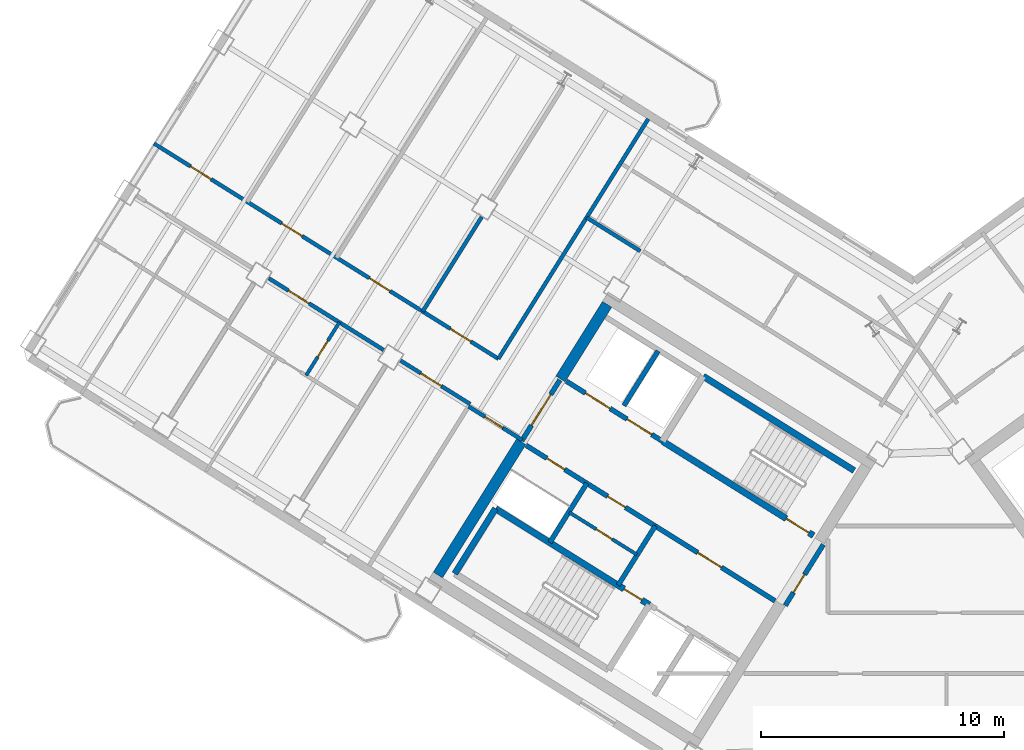
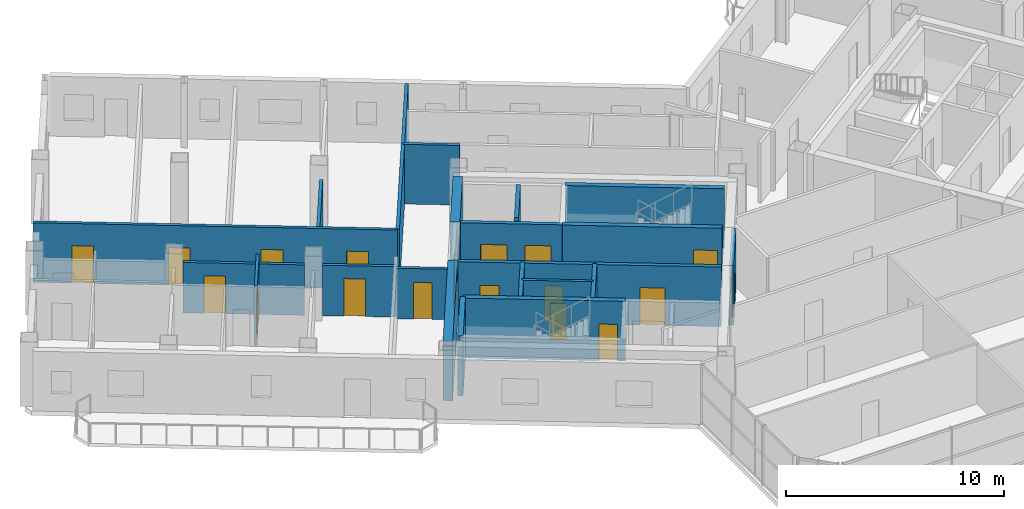
# One storey, part 12 of 20: 23 walls, 18 doors, 18 openings.
"""IFC4 building model written with IfcOpenShell, lengths in metres."""

import ifcopenshell
import ifcopenshell.guid

model = None  # the IFC model being written
_history = None  # IfcOwnerHistory: only IFC2X3 demands one
_inside = {}  # id of a spatial element -> (the spatial element, [elements in it])
_under = {}  # id of a project, library or spatial element -> (it, [spatial elements below it])
_declared = {}  # id of a project -> (the project, [libraries it declares])
_typed = {}  # id of a type object -> (the type object, [elements of that type])
_made_of = {}  # id of a material, layer set ... -> (it, [elements and type objects made of it])


def new_model(schema):
    """Start an empty IFC model of exactly this schema.

    Asked for "IFC4X3", IfcOpenShell would pick the latest addendum, in which some entities
    have other attributes; the version numbers below select the first issue.
    IFC2X3 requires an IfcOwnerHistory on every rooted entity: one is made here for all.
    """
    global model, _history
    if schema == "IFC4X3":
        model = ifcopenshell.file(schema_version=(4, 3, 0, 0))
    else:
        model = ifcopenshell.file(schema=schema)
    _inside.clear()
    _under.clear()
    _declared.clear()
    _typed.clear()
    _made_of.clear()
    _history = None
    if model.schema == "IFC2X3":
        org = make("IfcOrganization", Name="unknown")
        user = make(
            "IfcPersonAndOrganization",
            ThePerson=make("IfcPerson", FamilyName="unknown"),
            TheOrganization=org,
        )
        app = make(
            "IfcApplication",
            ApplicationDeveloper=org,
            Version="unknown",
            ApplicationFullName="unknown",
            ApplicationIdentifier="unknown",
        )
        _history = make(
            "IfcOwnerHistory",
            OwningUser=user,
            OwningApplication=app,
            ChangeAction="ADDED",
            CreationDate=0,
        )
    return model


def make(cls, **values):
    """One entity of the class cls with the attributes given. An attribute that is None is left unset."""
    return model.create_entity(
        cls, **{name: value for name, value in values.items() if value is not None}
    )


def rooted(cls, **values):
    """An entity with a GlobalId (a new one), such as an element, a storey or a relation."""
    return make(cls, GlobalId=ifcopenshell.guid.new(), OwnerHistory=_history, **values)


def si_unit(unit_type, name, prefix=None):
    """IfcSIUnit, for example si_unit("LENGTHUNIT", "METRE", prefix="MILLI")."""
    return make("IfcSIUnit", UnitType=unit_type, Prefix=prefix, Name=name)


def assignment(units):
    """IfcUnitAssignment: the units of a project."""
    return None if units is None else make("IfcUnitAssignment", Units=units)


def point(xyz):
    """IfcCartesianPoint."""
    return None if xyz is None else make("IfcCartesianPoint", Coordinates=xyz)


def direction(xyz):
    """IfcDirection."""
    return None if xyz is None else make("IfcDirection", DirectionRatios=xyz)


def frame(location, z_axis=None, x_axis=None):
    """IfcAxis2Placement3D, a coordinate frame: its origin and axes. An axis left out is left unset."""
    return make(
        "IfcAxis2Placement3D",
        Location=point(location),
        Axis=direction(z_axis),
        RefDirection=direction(x_axis),
    )


def frame_2d(location, x_axis=None):
    """IfcAxis2Placement2D, a coordinate frame in the plane: its origin and x axis."""
    return make(
        "IfcAxis2Placement2D", Location=point(location), RefDirection=direction(x_axis)
    )


def origin():
    """The frame at (0, 0, 0) with its axes left unset."""
    return frame((0.0, 0.0, 0.0))


def place(relative_to, where):
    """IfcLocalPlacement: puts the frame where relative to a parent placement (None: the world)."""
    return make(
        "IfcLocalPlacement", PlacementRelTo=relative_to, RelativePlacement=where
    )


def context(
    kind, dimensions, precision=None, world=None, true_north=None, identifier=None
):
    """IfcGeometricRepresentationContext, for example the 3D "Model" context."""
    return make(
        "IfcGeometricRepresentationContext",
        ContextIdentifier=identifier,
        ContextType=kind,
        CoordinateSpaceDimension=dimensions,
        Precision=precision,
        WorldCoordinateSystem=world,
        TrueNorth=true_north,
    )


def subcontext(parent, identifier, kind, view, scale=None):
    """IfcGeometricRepresentationSubContext, for example "Body" below "Model"."""
    return make(
        "IfcGeometricRepresentationSubContext",
        ContextIdentifier=identifier,
        ContextType=kind,
        ParentContext=parent,
        TargetScale=scale,
        TargetView=view,
    )


def project(units=None, contexts=None):
    """IfcProject with its units and contexts."""
    return rooted(
        "IfcProject",
        Name="project",
        RepresentationContexts=contexts,
        UnitsInContext=assignment(units),
    )


def spatial(cls, under=None, at=None, **own):
    """A site, building, storey or space (cls), placed at a placement, below another one or the project."""
    s = rooted(cls, ObjectPlacement=at, **own)
    if under is not None:
        _under.setdefault(under.id(), (under, []))[1].append(s)
    return s


def profile(cls, at=None, kind="AREA", **sizes):
    """A parametric profile (cls). Its sizes go by their IFC names, for example OverallWidth=200.0."""
    return make(cls, ProfileType=kind, Position=at, **sizes)


def rectangle(**sizes):
    """IfcRectangleProfileDef."""
    return profile("IfcRectangleProfileDef", **sizes)


def extrude(swept, where, along, depth):
    """IfcExtrudedAreaSolid: the profile swept, set in the frame where, extruded along a direction by depth."""
    return make(
        "IfcExtrudedAreaSolid",
        SweptArea=swept,
        Position=where,
        ExtrudedDirection=direction(along),
        Depth=depth,
    )


def shape(context_of_items, identifier, shape_type, items):
    """IfcShapeRepresentation: the items that make up one representation, for example the "Body"."""
    return make(
        "IfcShapeRepresentation",
        ContextOfItems=context_of_items,
        RepresentationIdentifier=identifier,
        RepresentationType=shape_type,
        Items=items,
    )


def source(mapping_origin, context_of_items, identifier, shape_type, items):
    """IfcRepresentationMap: a shape defined once, which mapped items show again and again."""
    return make(
        "IfcRepresentationMap",
        MappingOrigin=mapping_origin,
        MappedRepresentation=shape(context_of_items, identifier, shape_type, items),
    )


def transform(
    local_origin,
    x_axis=None,
    y_axis=None,
    z_axis=None,
    scale=None,
    scale2=None,
    scale3=None,
    uniform=True,
):
    """IfcCartesianTransformationOperator3D, or its non-uniform kind. x_axis, y_axis, z_axis: its Axis1, 2, 3."""
    if uniform:
        return make(
            "IfcCartesianTransformationOperator3D",
            Axis1=direction(x_axis),
            Axis2=direction(y_axis),
            LocalOrigin=point(local_origin),
            Scale=scale,
            Axis3=direction(z_axis),
        )
    return make(
        "IfcCartesianTransformationOperator3DnonUniform",
        Axis1=direction(x_axis),
        Axis2=direction(y_axis),
        LocalOrigin=point(local_origin),
        Scale=scale,
        Axis3=direction(z_axis),
        Scale2=scale2,
        Scale3=scale3,
    )


def mapped(mapping_source, mapping_target):
    """IfcMappedItem: shows the shape of a source again, moved by a transform."""
    return make(
        "IfcMappedItem", MappingSource=mapping_source, MappingTarget=mapping_target
    )


def material(Name=None, Category=None):
    """IfcMaterial."""
    return make("IfcMaterial", Name=Name, Category=Category)


def layer(
    of_material, thickness, ventilated=None, Name=None, Category=None, Priority=None
):
    """IfcMaterialLayer: one layer of a wall or slab, of a material (None: an air gap)."""
    return make(
        "IfcMaterialLayer",
        Material=of_material,
        LayerThickness=thickness,
        IsVentilated=ventilated,
        Name=Name,
        Category=Category,
        Priority=Priority,
    )


def layer_set(layers, Name=None):
    """IfcMaterialLayerSet."""
    return make("IfcMaterialLayerSet", MaterialLayers=layers, LayerSetName=Name)


def made_of(thing, what):
    """Note that an element or type object is made of a material, layer set ...; save() writes the relation."""
    if what is not None:
        _made_of.setdefault(what.id(), (what, []))[1].append(thing)
    return thing


def type_object(cls, material=None, **own):
    """A type object (cls), such as IfcWallType, which elements share."""
    return made_of(rooted(cls, **own), material)


def element(
    cls,
    number,
    at=None,
    inside=None,
    cuts=None,
    type_object=None,
    material=None,
    context=None,
    identifier="Body",
    shape_type=None,
    held_by="IfcProductDefinitionShape",
    body=None,
    shapes=None,
    **own,
):
    """One element of the class cls, such as IfcWall. Its Tag is "e" and its number.

    at: its placement. inside: the storey or other place that contains it. cuts: it is an
    opening in that element (IfcRelVoidsElement). A single representation is given by context,
    identifier, shape_type and body (its items); several are given by shapes. held_by: the class
    of the entity that holds the representations. save() writes the other relations.
    """
    e = rooted(cls, Tag="e%d" % number, ObjectPlacement=at, **own)
    if body is not None:
        shapes = [shape(context, identifier, shape_type, body)]
    if shapes is not None:
        e.Representation = make(held_by, Representations=shapes)
    if inside is not None:
        _inside.setdefault(inside.id(), (inside, []))[1].append(e)
    if cuts is not None:
        rooted(
            "IfcRelVoidsElement", RelatingBuildingElement=cuts, RelatedOpeningElement=e
        )
    if type_object is not None:
        _typed.setdefault(type_object.id(), (type_object, []))[1].append(e)
    return made_of(e, material)


def fill(opening, filler):
    """IfcRelFillsElement: the door or window that sits in an opening."""
    return rooted(
        "IfcRelFillsElement",
        RelatingOpeningElement=opening,
        RelatedBuildingElement=filler,
    )


def aggregate(whole, parts):
    """IfcRelAggregates: a whole, such as a stair, and the parts it consists of."""
    return rooted("IfcRelAggregates", RelatingObject=whole, RelatedObjects=parts)


def save(model, path):
    """Write the relations noted so far, then the file.

    IfcRelAggregates (storeys below a building ...), IfcRelContainedInSpatialStructure (elements
    in a storey), IfcRelDefinesByType, IfcRelAssociatesMaterial and IfcRelDeclares: one each for
    every whole, place, type object, material and project.
    """
    for whole, parts in _under.values():
        aggregate(whole, parts)
    for where, things in _inside.values():
        rooted(
            "IfcRelContainedInSpatialStructure",
            RelatedElements=things,
            RelatingStructure=where,
        )
    for kind, things in _typed.values():
        rooted("IfcRelDefinesByType", RelatedObjects=things, RelatingType=kind)
    for what, things in _made_of.values():
        rooted("IfcRelAssociatesMaterial", RelatedObjects=things, RelatingMaterial=what)
    for by, libraries in _declared.values():
        rooted("IfcRelDeclares", RelatingContext=by, RelatedDefinitions=libraries)
    model.write(path)


model = new_model("IFC4")

# Units and contexts
model_context = context("Model", 3, precision=1e-05, world=origin(), true_north=direction((0.0, 1.0)))
body_context = subcontext(model_context, "Body", "Model", "MODEL_VIEW")
ifc_project = project(units=[si_unit("LENGTHUNIT", "METRE"), si_unit("AREAUNIT", "SQUARE_METRE"), si_unit("VOLUMEUNIT", "CUBIC_METRE"), si_unit("PLANEANGLEUNIT", "RADIAN"), si_unit("MASSUNIT", "GRAM", prefix="KILO")], contexts=[model_context])

# Site, building, storey
site_placement = place(None, origin())
site = spatial("IfcSite", under=ifc_project, at=site_placement, CompositionType="ELEMENT")
building_placement = place(site_placement, origin())
building = spatial("IfcBuilding", under=site, at=building_placement, Name="Tlacorven Tower", CompositionType="ELEMENT")
storey_placement = place(building_placement, frame((0.0, 0.0, 211.199951171875)))
storey = spatial("IfcBuildingStorey", under=building, at=storey_placement, Name="L53", CompositionType="ELEMENT", Elevation=211.199951171875)

# Walls
ifc_material_1 = material(Name="Concrete C50/60", Category="concrete")
ifc_layer_1 = layer(ifc_material_1, 0.449951171875)
ifc_layer_set_1 = layer_set([ifc_layer_1], Name="Concrete C50/60")
wall_type_1 = type_object("IfcWallType", Name="WL-COR-450", PredefinedType="SHEAR", material=ifc_layer_set_1)
wall_1_placement = place(storey_placement, frame((29.543701171875, 30.636474609375, 0.0), z_axis=(0.0, 0.0, 1.0), x_axis=(-0.529902075036, -0.848058836916, 0.0)))
element("IfcWall", 1, at=wall_1_placement, inside=storey, type_object=wall_type_1, Name="L53 W core end wall E2.1", PredefinedType="SHEAR", context=body_context, shape_type="SweptSolid", body=[
    extrude(rectangle(XDim=3.625, YDim=0.449951171875, at=frame_2d((1.8125, 0.0))), origin(), (0.0, 0.0, 1.0), 3.35009765625),
])
wall_2_placement = place(storey_placement, frame((26.006591796875, 24.975830078125, 0.0), z_axis=(0.0, 0.0, 1.0), x_axis=(-0.529931155655, -0.848040665456, 0.0)))
element("IfcWall", 2, at=wall_2_placement, inside=storey, type_object=wall_type_1, Name="L53 W core end wall E2.2", PredefinedType="SHEAR", context=body_context, shape_type="SweptSolid", body=[
    extrude(rectangle(XDim=6.47509765625, YDim=0.449951171875, at=frame_2d((3.237548828125, 0.0))), origin(), (0.0, 0.0, 1.0), 3.35009765625),
])
ifc_material_2 = material(Name="Gypsum plasterboard acoustic partition", Category="gypsum")
ifc_layer_2 = layer(ifc_material_2, 0.159912109375)
ifc_layer_set_2 = layer_set([ifc_layer_2], Name="Gypsum plasterboard acoustic partition")
wall_type_2 = type_object("IfcWallType", Name="WL-DEM-160", PredefinedType="PARTITIONING", material=ifc_layer_set_2)
wall_3_placement = place(storey_placement, frame((30.91357421875, 32.82861328125, 0.0), z_axis=(0.0, 0.0, 1.0), x_axis=(-0.848008813643, 0.529982124211, 0.0)))
element("IfcWall", 3, at=wall_3_placement, inside=storey, type_object=wall_type_2, Name="L53 partition 39", PredefinedType="PARTITIONING", context=body_context, shape_type="SweptSolid", body=[
    extrude(rectangle(XDim=2.610107421875, YDim=0.159912109375, at=frame_2d((1.30517578125, 0.0))), origin(), (0.0, 0.0, 1.0), 3.340087890625),
])

# Wall, opening, door
wall_4_placement = place(storey_placement, frame((26.048828125, 25.043701171875, 0.0), z_axis=(0.0, 0.0, 1.0), x_axis=(-0.848050851465, 0.529914854792, 0.0)))
wall_4 = element("IfcWall", 4, at=wall_4_placement, inside=storey, type_object=wall_type_2, Name="L53 partition 40", PredefinedType="PARTITIONING", context=body_context, shape_type="SweptSolid", body=[
    extrude(rectangle(XDim=2.60986328125, YDim=0.159912109375, at=frame_2d((1.304931640625, 0.0))), origin(), (0.0, 0.0, 1.0), 2.824951171875),
])
opening_1_placement = place(wall_4_placement, frame((0.949951171875, 0.0, 0.0)))
opening_1 = element("IfcOpeningElement", 5, at=opening_1_placement, cuts=wall_4, Name="Opening D19", PredefinedType="OPENING", context=body_context, shape_type="SweptSolid", body=[
    extrude(rectangle(XDim=0.860107421875, YDim=2.050048828125, at=frame_2d((0.43017578125, 1.02490234375))), frame((0.0, 0.08984375, 0.0), z_axis=(0.0, -1.0, 0.0), x_axis=(1.0, 0.0, 0.0)), (0.0, 0.0, 1.0), 0.179931640625),
])
ifc_material_3 = material(Name="Fire-rated steel door assembly", Category="steel")
door_type_1 = type_object("IfcDoorType", Name="DR-RSR-FD60-0860", OperationType="NOTDEFINED", PredefinedType="DOOR", material=ifc_material_3)
shared_shape_1 = source(origin(), body_context, "Body", "SweptSolid", [
    extrude(rectangle(XDim=0.860107421875, YDim=2.050048828125, at=frame_2d((0.43017578125, 1.02490234375))), frame((0.0, 0.02490234375, 0.0), z_axis=(0.0, -1.0, 0.0), x_axis=(1.0, 0.0, 0.0)), (0.0, 0.0, 1.0), 0.050048828125),
])
door_1_placement = place(opening_1_placement, origin())
door_1 = element("IfcDoor", 6, at=door_1_placement, inside=storey, type_object=door_type_1, Name="L53 door 022", OperationType="SINGLE_SWING_LEFT", OverallHeight=2.050048828125, OverallWidth=0.860107421875, PredefinedType="DOOR", context=body_context, shape_type="MappedRepresentation", body=[
    mapped(shared_shape_1, transform((0.0, 0.0, 0.0), scale=1.0)),
])
fill(opening_1, door_1)

# Wall
wall_5_placement = place(storey_placement, frame((31.238525390625, 38.27392578125, 0.0), z_axis=(0.0, 0.0, 1.0), x_axis=(-0.529925472745, -0.848044216616, 0.0)))
element("IfcWall", 7, at=wall_5_placement, inside=storey, type_object=wall_type_2, Name="L53 partition 41", PredefinedType="PARTITIONING", context=body_context, shape_type="SweptSolid", body=[
    extrude(rectangle(XDim=11.64990234375, YDim=0.159912109375, at=frame_2d((5.824951171875, 0.0))), origin(), (0.0, 0.0, 1.0), 3.340087890625),
])

# Wall, openings, doors
wall_6_placement = place(storey_placement, frame((25.06494140625, 28.394287109375, 0.0), z_axis=(0.0, 0.0, 1.0), x_axis=(-0.848048310262, 0.529918921593, 0.0)))
wall_6 = element("IfcWall", 8, at=wall_6_placement, inside=storey, type_object=wall_type_2, Name="L53 Wing W Corridor South Wall", PredefinedType="PARTITIONING", context=body_context, shape_type="SweptSolid", body=[
    extrude(rectangle(XDim=16.72998046875, YDim=0.159912109375, at=frame_2d((8.364990234375, 0.0))), origin(), (0.0, 0.0, 1.0), 3.340087890625),
])
opening_2_placement = place(wall_6_placement, frame((1.337890625, 0.0, 0.0)))
opening_2 = element("IfcOpeningElement", 9, at=opening_2_placement, cuts=wall_6, Name="Opening D11", PredefinedType="OPENING", context=body_context, shape_type="SweptSolid", body=[
    extrude(rectangle(XDim=1.0, YDim=2.10009765625, at=frame_2d((0.5, 1.050048828125))), frame((0.0, 0.08984375, 0.0), z_axis=(0.0, -1.0, 0.0), x_axis=(1.0, 0.0, 0.0)), (0.0, 0.0, 1.0), 0.179931640625),
])
opening_3_placement = place(wall_6_placement, frame((5.264892578125, 0.0, 0.0)))
opening_3 = element("IfcOpeningElement", 10, at=opening_3_placement, cuts=wall_6, Name="Opening D11", PredefinedType="OPENING", context=body_context, shape_type="SweptSolid", body=[
    extrude(rectangle(XDim=1.0, YDim=2.10009765625, at=frame_2d((0.5, 1.050048828125))), frame((0.0, 0.08984375, 0.0), z_axis=(0.0, -1.0, 0.0), x_axis=(1.0, 0.0, 0.0)), (0.0, 0.0, 1.0), 0.179931640625),
])
opening_4_placement = place(wall_6_placement, frame((9.52587890625, 0.0, 0.0)))
opening_4 = element("IfcOpeningElement", 11, at=opening_4_placement, cuts=wall_6, Name="Opening D11", PredefinedType="OPENING", context=body_context, shape_type="SweptSolid", body=[
    extrude(rectangle(XDim=1.0, YDim=2.10009765625, at=frame_2d((0.5, 1.050048828125))), frame((0.0, 0.08984375, 0.0), z_axis=(0.0, -1.0, 0.0), x_axis=(1.0, 0.0, 0.0)), (0.0, 0.0, 1.0), 0.179931640625),
])
opening_5_placement = place(wall_6_placement, frame((13.9541015625, 0.0, 0.0)))
opening_5 = element("IfcOpeningElement", 12, at=opening_5_placement, cuts=wall_6, Name="Opening D11", PredefinedType="OPENING", context=body_context, shape_type="SweptSolid", body=[
    extrude(rectangle(XDim=1.0, YDim=2.10009765625, at=frame_2d((0.5, 1.050048828125))), frame((0.0, 0.08984375, 0.0), z_axis=(0.0, -1.0, 0.0), x_axis=(1.0, 0.0, 0.0)), (0.0, 0.0, 1.0), 0.179931640625),
])
door_type_2 = type_object("IfcDoorType", Name="DR-FLT-FD60-1000", OperationType="NOTDEFINED", PredefinedType="DOOR", material=ifc_material_3)
shared_shape_2 = source(origin(), body_context, "Body", "SweptSolid", [
    extrude(rectangle(XDim=1.0, YDim=2.10009765625, at=frame_2d((0.5, 1.050048828125))), frame((0.0, 0.02490234375, 0.0), z_axis=(0.0, -1.0, 0.0), x_axis=(1.0, 0.0, 0.0)), (0.0, 0.0, 1.0), 0.050048828125),
])
door_2_placement = place(opening_2_placement, frame((1.0, 0.0, 0.0), z_axis=(0.0, 0.0, 1.0), x_axis=(-1.0, 0.0, 0.0)))
door_2 = element("IfcDoor", 13, at=door_2_placement, inside=storey, type_object=door_type_2, Name="L53 door 034", OperationType="SINGLE_SWING_RIGHT", OverallHeight=2.10009765625, OverallWidth=1.0, PredefinedType="DOOR", context=body_context, shape_type="MappedRepresentation", body=[
    mapped(shared_shape_2, transform((0.0, 0.0, 0.0), scale=1.0)),
])
fill(opening_2, door_2)
door_3_placement = place(opening_3_placement, frame((1.0, 0.0, 0.0), z_axis=(0.0, 0.0, 1.0), x_axis=(-1.0, 0.0, 0.0)))
door_3 = element("IfcDoor", 14, at=door_3_placement, inside=storey, type_object=door_type_2, Name="L53 door 035", OperationType="SINGLE_SWING_LEFT", OverallHeight=2.10009765625, OverallWidth=1.0, PredefinedType="DOOR", context=body_context, shape_type="MappedRepresentation", body=[
    mapped(shared_shape_2, transform((0.0, 0.0, 0.0), scale=1.0)),
])
fill(opening_3, door_3)
door_4_placement = place(opening_4_placement, frame((1.0, 0.0, 0.0), z_axis=(0.0, 0.0, 1.0), x_axis=(-1.0, 0.0, 0.0)))
door_4 = element("IfcDoor", 15, at=door_4_placement, inside=storey, type_object=door_type_2, Name="L53 door 036", OperationType="SINGLE_SWING_RIGHT", OverallHeight=2.10009765625, OverallWidth=1.0, PredefinedType="DOOR", context=body_context, shape_type="MappedRepresentation", body=[
    mapped(shared_shape_2, transform((0.0, 0.0, 0.0), scale=1.0)),
])
fill(opening_4, door_4)
door_5_placement = place(opening_5_placement, frame((1.0, 0.0, 0.0), z_axis=(0.0, 0.0, 1.0), x_axis=(-1.0, 0.0, 0.0)))
door_5 = element("IfcDoor", 16, at=door_5_placement, inside=storey, type_object=door_type_2, Name="L53 door 037", OperationType="SINGLE_SWING_LEFT", OverallHeight=2.10009765625, OverallWidth=1.0, PredefinedType="DOOR", context=body_context, shape_type="MappedRepresentation", body=[
    mapped(shared_shape_2, transform((0.0, 0.0, 0.0), scale=1.0)),
])
fill(opening_5, door_5)

# Wall, opening, door
wall_7_placement = place(storey_placement, frame((23.899169921875, 26.528564453125, 0.0), z_axis=(0.0, 0.0, 1.0), x_axis=(-0.848055143312, 0.529907986259, 0.0)))
wall_7 = element("IfcWall", 17, at=wall_7_placement, inside=storey, type_object=wall_type_2, Name="L53 Wing W Corridor North Wall", PredefinedType="PARTITIONING", context=body_context, shape_type="SweptSolid", body=[
    extrude(rectangle(XDim=3.3779296875, YDim=0.159912109375, at=frame_2d((1.68896484375, 0.0))), origin(), (0.0, 0.0, 1.0), 2.824951171875),
])
opening_6_placement = place(wall_7_placement, frame((1.39501953125, 0.0, 0.0)))
opening_6 = element("IfcOpeningElement", 18, at=opening_6_placement, cuts=wall_7, Name="Opening D11", PredefinedType="OPENING", context=body_context, shape_type="SweptSolid", body=[
    extrude(rectangle(XDim=1.0, YDim=2.10009765625, at=frame_2d((0.5, 1.050048828125))), frame((0.0, 0.08984375, 0.0), z_axis=(0.0, -1.0, 0.0), x_axis=(1.0, 0.0, 0.0)), (0.0, 0.0, 1.0), 0.179931640625),
])
door_6_placement = place(opening_6_placement, origin())
door_6 = element("IfcDoor", 19, at=door_6_placement, inside=storey, type_object=door_type_2, Name="L53 door 024", OperationType="SINGLE_SWING_LEFT", OverallHeight=2.10009765625, OverallWidth=1.0, PredefinedType="DOOR", context=body_context, shape_type="MappedRepresentation", body=[
    mapped(shared_shape_2, transform((0.0, 0.0, 0.0), scale=1.0)),
])
fill(opening_6, door_6)

wall_8_placement = place(storey_placement, frame((20.335693359375, 28.755126953125, 0.0), z_axis=(0.0, 0.0, 1.0), x_axis=(-0.848049955116, 0.529916289265, 0.0)))
wall_8 = element("IfcWall", 20, at=wall_8_placement, inside=storey, type_object=wall_type_2, Name="L53 Wing W Corridor North Wall", PredefinedType="PARTITIONING", context=body_context, shape_type="SweptSolid", body=[
    extrude(rectangle(XDim=5.575927734375, YDim=0.159912109375, at=frame_2d((2.7880859375, 0.0))), origin(), (0.0, 0.0, 1.0), 2.824951171875),
])
opening_7_placement = place(wall_8_placement, frame((3.617919921875, 0.0, 0.0)))
opening_7 = element("IfcOpeningElement", 21, at=opening_7_placement, cuts=wall_8, Name="Opening D11", PredefinedType="OPENING", context=body_context, shape_type="SweptSolid", body=[
    extrude(rectangle(XDim=1.0, YDim=2.10009765625, at=frame_2d((0.5, 1.050048828125))), frame((0.0, 0.08984375, 0.0), z_axis=(0.0, -1.0, 0.0), x_axis=(1.0, 0.0, 0.0)), (0.0, 0.0, 1.0), 0.179931640625),
])
door_7_placement = place(opening_7_placement, origin())
door_7 = element("IfcDoor", 22, at=door_7_placement, inside=storey, type_object=door_type_2, Name="L53 door 026", OperationType="SINGLE_SWING_LEFT", OverallHeight=2.10009765625, OverallWidth=1.0, PredefinedType="DOOR", context=body_context, shape_type="MappedRepresentation", body=[
    mapped(shared_shape_2, transform((0.0, 0.0, 0.0), scale=1.0)),
])
fill(opening_7, door_7)

# Wall
wall_9_placement = place(storey_placement, frame((24.378662109375, 34.23291015625, 0.0), z_axis=(0.0, 0.0, 1.0), x_axis=(-0.529922402838, -0.84804613493, 0.0)))
element("IfcWall", 23, at=wall_9_placement, inside=storey, type_object=wall_type_2, Name="L53 partition 55", PredefinedType="PARTITIONING", context=body_context, shape_type="SweptSolid", body=[
    extrude(rectangle(XDim=4.587646484375, YDim=0.159912109375, at=frame_2d((2.2939453125, 0.0))), origin(), (0.0, 0.0, 1.0), 2.824951171875),
])

# Wall, opening, door
ifc_material_4 = material(Name="Moisture-resistant gypsum plumbing wall", Category="gypsum")
ifc_layer_3 = layer(ifc_material_4, 0.139892578125)
ifc_layer_set_3 = layer_set([ifc_layer_3], Name="Moisture-resistant gypsum plumbing wall")
wall_type_3 = type_object("IfcWallType", Name="WL-PLM-140", PredefinedType="PLUMBINGWALL", material=ifc_layer_set_3)
wall_10_placement = place(storey_placement, frame((30.766357421875, 20.3271484375, 0.0), z_axis=(0.0, 0.0, 1.0), x_axis=(-0.848052663127, 0.529911955482, 0.0)))
wall_10 = element("IfcWall", 24, at=wall_10_placement, inside=storey, type_object=wall_type_3, Name="L53 partition 18", PredefinedType="PLUMBINGWALL", context=body_context, shape_type="SweptSolid", body=[
    extrude(rectangle(XDim=3.27978515625, YDim=0.139892578125, at=frame_2d((1.639892578125, 0.0))), origin(), (0.0, 0.0, 1.0), 3.340087890625),
])
opening_8_placement = place(wall_10_placement, frame((1.199951171875, 0.0, 0.0)))
opening_8 = element("IfcOpeningElement", 25, at=opening_8_placement, cuts=wall_10, Name="Opening D22", PredefinedType="OPENING", context=body_context, shape_type="SweptSolid", body=[
    extrude(rectangle(XDim=0.780029296875, YDim=2.050048828125, at=frame_2d((0.39013671875, 1.02490234375))), frame((0.0, 0.080078125, 0.0), z_axis=(0.0, -1.0, 0.0), x_axis=(1.0, 0.0, 0.0)), (0.0, 0.0, 1.0), 0.159912109375),
])
ifc_material_5 = material(Name="Powder-coated aluminium and timber door", Category="wood")
door_type_3 = type_object("IfcDoorType", Name="DR-INT-WET-0780", OperationType="NOTDEFINED", PredefinedType="DOOR", material=ifc_material_5)
shared_shape_3 = source(origin(), body_context, "Body", "SweptSolid", [
    extrude(rectangle(XDim=0.780029296875, YDim=2.050048828125, at=frame_2d((0.39013671875, 1.02490234375))), frame((0.0, 0.02490234375, 0.0), z_axis=(0.0, -1.0, 0.0), x_axis=(1.0, 0.0, 0.0)), (0.0, 0.0, 1.0), 0.050048828125),
])
door_8_placement = place(opening_8_placement, origin())
door_8 = element("IfcDoor", 26, at=door_8_placement, inside=storey, type_object=door_type_3, Name="L53 door 010", OperationType="SINGLE_SWING_RIGHT", OverallHeight=2.050048828125, OverallWidth=0.780029296875, PredefinedType="DOOR", context=body_context, shape_type="MappedRepresentation", body=[
    mapped(shared_shape_3, transform((0.0, 0.0, 0.0), scale=1.0)),
])
fill(opening_8, door_8)

wall_11_placement = place(storey_placement, frame((18.513916015625, 29.8935546875, 0.0), z_axis=(0.0, 0.0, 1.0), x_axis=(-0.529913878929, -0.848051461244, 0.0)))
wall_11 = element("IfcWall", 27, at=wall_11_placement, inside=storey, type_object=wall_type_3, Name="L53 partition 49", PredefinedType="PLUMBINGWALL", context=body_context, shape_type="SweptSolid", body=[
    extrude(rectangle(XDim=2.580078125, YDim=0.139892578125, at=frame_2d((1.2900390625, 0.0))), origin(), (0.0, 0.0, 1.0), 3.340087890625),
])
opening_9_placement = place(wall_11_placement, frame((0.89990234375, 0.0, 0.0)))
opening_9 = element("IfcOpeningElement", 28, at=opening_9_placement, cuts=wall_11, Name="Opening D22", PredefinedType="OPENING", context=body_context, shape_type="SweptSolid", body=[
    extrude(rectangle(XDim=0.780029296875, YDim=2.050048828125, at=frame_2d((0.39013671875, 1.02490234375))), frame((0.0, 0.080078125, 0.0), z_axis=(0.0, -1.0, 0.0), x_axis=(1.0, 0.0, 0.0)), (0.0, 0.0, 1.0), 0.159912109375),
])
door_9_placement = place(opening_9_placement, origin())
door_9 = element("IfcDoor", 29, at=door_9_placement, inside=storey, type_object=door_type_3, Name="L53 door 028", OperationType="SINGLE_SWING_RIGHT", OverallHeight=2.050048828125, OverallWidth=0.780029296875, PredefinedType="DOOR", context=body_context, shape_type="MappedRepresentation", body=[
    mapped(shared_shape_3, transform((0.0, 0.0, 0.0), scale=1.0)),
])
fill(opening_9, door_9)

ifc_material_6 = material(Name="Concrete C40/50", Category="concrete")
ifc_layer_4 = layer(ifc_material_6, 0.199951171875)
ifc_layer_set_4 = layer_set([ifc_layer_4], Name="Concrete C40/50")
wall_type_4 = type_object("IfcWallType", Name="WL-SHF-200", PredefinedType="STANDARD", material=ifc_layer_set_4)
wall_12_placement = place(storey_placement, frame((36.459228515625, 18.420654296875, 0.0), z_axis=(0.0, 0.0, 1.0), x_axis=(-0.848059591691, 0.529900867089, 0.0)))
wall_12 = element("IfcWall", 30, at=wall_12_placement, inside=storey, type_object=wall_type_4, Name="L53 Core W Smoke Lobby Wall", PredefinedType="STANDARD", context=body_context, shape_type="SweptSolid", body=[
    extrude(rectangle(XDim=5.818115234375, YDim=0.199951171875, at=frame_2d((2.9091796875, 0.0))), origin(), (0.0, 0.0, 1.0), 3.340087890625),
])
opening_10_placement = place(wall_12_placement, frame((2.597900390625, 0.0, 0.0)))
opening_10 = element("IfcOpeningElement", 31, at=opening_10_placement, cuts=wall_12, Name="Opening D09", PredefinedType="OPENING", context=body_context, shape_type="SweptSolid", body=[
    extrude(rectangle(XDim=1.14990234375, YDim=2.10009765625, at=frame_2d((0.574951171875, 1.050048828125))), frame((0.0, 0.10986328125, 0.0), z_axis=(0.0, -1.0, 0.0), x_axis=(1.0, 0.0, 0.0)), (0.0, 0.0, 1.0), 0.219970703125),
])
door_type_4 = type_object("IfcDoorType", Name="DR-FFL-FD60-1150", OperationType="NOTDEFINED", PredefinedType="DOOR", material=ifc_material_3)
shared_shape_4 = source(origin(), body_context, "Body", "SweptSolid", [
    extrude(rectangle(XDim=1.14990234375, YDim=2.10009765625, at=frame_2d((0.574951171875, 1.050048828125))), frame((0.0, 0.02490234375, 0.0), z_axis=(0.0, -1.0, 0.0), x_axis=(1.0, 0.0, 0.0)), (0.0, 0.0, 1.0), 0.050048828125),
])
door_10_placement = place(opening_10_placement, origin())
door_10 = element("IfcDoor", 32, at=door_10_placement, inside=storey, type_object=door_type_4, Name="L53 Firefighting Lobby W Fire Door", OperationType="SINGLE_SWING_LEFT", OverallHeight=2.10009765625, OverallWidth=1.14990234375, PredefinedType="DOOR", context=body_context, shape_type="MappedRepresentation", body=[
    mapped(shared_shape_4, transform((0.0, 0.0, 0.0), scale=1.0)),
])
fill(opening_10, door_10)

# Wall, openings, doors
wall_13_placement = place(storey_placement, frame((31.82177734375, 24.99755859375, 0.0), z_axis=(0.0, 0.0, 1.0), x_axis=(-0.848054125777, 0.529909614701, 0.0)))
wall_13 = element("IfcWall", 33, at=wall_13_placement, inside=storey, type_object=wall_type_4, Name="L53 Core W South Lift Shaft Wall", PredefinedType="STANDARD", context=body_context, shape_type="SweptSolid", body=[
    extrude(rectangle(XDim=4.66796875, YDim=0.199951171875, at=frame_2d((2.333984375, 0.0))), origin(), (0.0, 0.0, 1.0), 3.340087890625),
])
opening_11_placement = place(wall_13_placement, frame((0.52001953125, 0.0, 0.0)))
opening_11 = element("IfcOpeningElement", 34, at=opening_11_placement, cuts=wall_13, Name="Opening LD02", PredefinedType="OPENING", context=body_context, shape_type="SweptSolid", body=[
    extrude(rectangle(XDim=1.199951171875, YDim=2.14990234375, at=frame_2d((0.60009765625, 1.074951171875))), frame((0.0, 0.10986328125, 0.0), z_axis=(0.0, -1.0, 0.0), x_axis=(1.0, 0.0, 0.0)), (0.0, 0.0, 1.0), 0.219970703125),
])
opening_12_placement = place(wall_13_placement, frame((2.5400390625, 0.0, 0.0)))
opening_12 = element("IfcOpeningElement", 35, at=opening_12_placement, cuts=wall_13, Name="Opening LD02", PredefinedType="OPENING", context=body_context, shape_type="SweptSolid", body=[
    extrude(rectangle(XDim=1.199951171875, YDim=2.14990234375, at=frame_2d((0.60009765625, 1.074951171875))), frame((0.0, 0.10986328125, 0.0), z_axis=(0.0, -1.0, 0.0), x_axis=(1.0, 0.0, 0.0)), (0.0, 0.0, 1.0), 0.219970703125),
])
door_type_5 = type_object("IfcDoorType", Name="DR-LFT-SLID-1200", OperationType="DOUBLE_DOOR_SLIDING", PredefinedType="DOOR", material=ifc_material_3)
shared_shape_5 = source(origin(), body_context, "Body", "SweptSolid", [
    extrude(rectangle(XDim=1.199951171875, YDim=2.14990234375, at=frame_2d((0.60009765625, 1.074951171875))), frame((0.0, 0.02490234375, 0.0), z_axis=(0.0, -1.0, 0.0), x_axis=(1.0, 0.0, 0.0)), (0.0, 0.0, 1.0), 0.050048828125),
])
door_11_placement = place(opening_11_placement, origin())
door_11 = element("IfcDoor", 36, at=door_11_placement, inside=storey, type_object=door_type_5, Name="L53 Lift PL-H1 Sliding Landing Door", OperationType="DOUBLE_DOOR_SLIDING", OverallHeight=2.14990234375, OverallWidth=1.199951171875, PredefinedType="DOOR", context=body_context, shape_type="MappedRepresentation", body=[
    mapped(shared_shape_5, transform((0.0, 0.0, 0.0), scale=1.0)),
])
fill(opening_11, door_11)
door_12_placement = place(opening_12_placement, origin())
door_12 = element("IfcDoor", 37, at=door_12_placement, inside=storey, type_object=door_type_5, Name="L53 Lift PL-H2 Sliding Landing Door", OperationType="DOUBLE_DOOR_SLIDING", OverallHeight=2.14990234375, OverallWidth=1.199951171875, PredefinedType="DOOR", context=body_context, shape_type="MappedRepresentation", body=[
    mapped(shared_shape_5, transform((0.0, 0.0, 0.0), scale=1.0)),
])
fill(opening_12, door_12)

# Walls
wall_14_placement = place(storey_placement, frame((31.645263671875, 28.716064453125, 0.0), z_axis=(0.0, 0.0, 1.0), x_axis=(-0.52986693015, -0.848080795876, 0.0)))
element("IfcWall", 38, at=wall_14_placement, inside=storey, type_object=wall_type_4, Name="L53 partition 12", PredefinedType="STANDARD", context=body_context, shape_type="SweptSolid", body=[
    extrude(rectangle(XDim=2.659912109375, YDim=0.199951171875, at=frame_2d((1.330078125, 0.0))), origin(), (0.0, 0.0, 1.0), 3.340087890625),
])
for number, where, z_axis, x_axis, name in (
    (39, (31.525146484375, 21.503662109375, 0.0), (0.0, 0.0, 1.0), (-0.529907497854, -0.848055448493, 0.0), "L53 partition 15"),
    (40, (28.709716796875, 23.26318359375, 0.0), (0.0, 0.0, 1.0), (-0.529907497854, -0.848055448493, 0.0), "L53 partition 16"),
):
    element("IfcWall", number, at=place(storey_placement, frame(where, z_axis=z_axis, x_axis=x_axis)), inside=storey, type_object=wall_type_4, Name=name, PredefinedType="STANDARD", context=body_context, shape_type="SweptSolid", body=[
        extrude(rectangle(XDim=2.8798828125, YDim=0.199951171875, at=frame_2d((1.43994140625, 0.0))), origin(), (0.0, 0.0, 1.0), 3.340087890625),
    ])

# Wall, openings, doors
wall_15_placement = place(storey_placement, frame((31.525146484375, 21.503662109375, 0.0), z_axis=(0.0, 0.0, 1.0), x_axis=(-0.848042066329, 0.529928913853, 0.0)))
wall_15 = element("IfcWall", 41, at=wall_15_placement, inside=storey, type_object=wall_type_4, Name="L53 Core W North Service Wall", PredefinedType="STANDARD", context=body_context, shape_type="SweptSolid", body=[
    extrude(rectangle(XDim=6.267822265625, YDim=0.199951171875, at=frame_2d((3.1337890625, 0.0))), origin(), (0.0, 0.0, 1.0), 3.340087890625),
])
opening_13_placement = place(wall_15_placement, frame((4.39990234375, 0.0, 0.0)))
opening_13 = element("IfcOpeningElement", 42, at=opening_13_placement, cuts=wall_15, Name="Opening D19", PredefinedType="OPENING", context=body_context, shape_type="SweptSolid", body=[
    extrude(rectangle(XDim=0.860107421875, YDim=2.050048828125, at=frame_2d((0.43017578125, 1.02490234375))), frame((0.0, 0.10986328125, 0.0), z_axis=(0.0, -1.0, 0.0), x_axis=(1.0, 0.0, 0.0)), (0.0, 0.0, 1.0), 0.219970703125),
])
opening_14_placement = place(wall_15_placement, frame((1.449951171875, 0.0, 0.0)))
opening_14 = element("IfcOpeningElement", 43, at=opening_14_placement, cuts=wall_15, Name="Opening D19", PredefinedType="OPENING", context=body_context, shape_type="SweptSolid", body=[
    extrude(rectangle(XDim=0.860107421875, YDim=2.050048828125, at=frame_2d((0.43017578125, 1.02490234375))), frame((0.0, 0.10986328125, 0.0), z_axis=(0.0, -1.0, 0.0), x_axis=(1.0, 0.0, 0.0)), (0.0, 0.0, 1.0), 0.219970703125),
])
door_13_placement = place(opening_13_placement, frame((0.860107421875, 0.0, 0.0), z_axis=(0.0, 0.0, 1.0), x_axis=(-1.0, 0.0, 0.0)))
door_13 = element("IfcDoor", 44, at=door_13_placement, inside=storey, type_object=door_type_1, Name="L53 Electrical Riser Access Door W", OperationType="SINGLE_SWING_RIGHT", OverallHeight=2.050048828125, OverallWidth=0.860107421875, PredefinedType="DOOR", context=body_context, shape_type="MappedRepresentation", body=[
    mapped(shared_shape_1, transform((0.0, 0.0, 0.0), scale=1.0)),
])
fill(opening_13, door_13)
door_14_placement = place(opening_14_placement, frame((0.860107421875, 0.0, 0.0), z_axis=(0.0, 0.0, 1.0), x_axis=(-1.0, 0.0, 0.0)))
door_14 = element("IfcDoor", 45, at=door_14_placement, inside=storey, type_object=door_type_1, Name="L53 Cleaner Store Access Door W", OperationType="SINGLE_SWING_LEFT", OverallHeight=2.050048828125, OverallWidth=0.860107421875, PredefinedType="DOOR", context=body_context, shape_type="MappedRepresentation", body=[
    mapped(shared_shape_1, transform((0.0, 0.0, 0.0), scale=1.0)),
])
fill(opening_14, door_14)

# Wall, opening, door
wall_16_placement = place(storey_placement, frame((27.59619140625, 27.52001953125, 0.0), z_axis=(0.0, 0.0, 1.0), x_axis=(-0.529865479138, -0.848081702443, 0.0)))
wall_16 = element("IfcWall", 46, at=wall_16_placement, inside=storey, type_object=wall_type_4, Name="L53 partition 38", PredefinedType="STANDARD", context=body_context, shape_type="SweptSolid", body=[
    extrude(rectangle(XDim=2.9599609375, YDim=0.199951171875, at=frame_2d((1.47998046875, 0.0))), origin(), (0.0, 0.0, 1.0), 3.340087890625),
])
opening_15_placement = place(wall_16_placement, frame((0.699951171875, 0.0, 0.0)))
opening_15 = element("IfcOpeningElement", 47, at=opening_15_placement, cuts=wall_16, Name="Opening D10", PredefinedType="OPENING", context=body_context, shape_type="SweptSolid", body=[
    extrude(rectangle(XDim=1.5, YDim=2.14990234375, at=frame_2d((0.75, 1.074951171875))), frame((0.0, 0.10986328125, 0.0), z_axis=(0.0, -1.0, 0.0), x_axis=(1.0, 0.0, 0.0)), (0.0, 0.0, 1.0), 0.219970703125),
])
door_type_6 = type_object("IfcDoorType", Name="DR-LOB-FD60-1500", OperationType="DOUBLE_DOOR_SINGLE_SWING", PredefinedType="DOOR", material=ifc_material_3)
shared_shape_6 = source(origin(), body_context, "Body", "SweptSolid", [
    extrude(rectangle(XDim=1.5, YDim=2.14990234375, at=frame_2d((0.75, 1.074951171875))), frame((0.0, 0.02490234375, 0.0), z_axis=(0.0, -1.0, 0.0), x_axis=(1.0, 0.0, 0.0)), (0.0, 0.0, 1.0), 0.050048828125),
])
door_15_placement = place(opening_15_placement, origin())
door_15 = element("IfcDoor", 48, at=door_15_placement, inside=storey, type_object=door_type_6, Name="L53 door 023", OperationType="DOUBLE_DOOR_SINGLE_SWING", OverallHeight=2.14990234375, OverallWidth=1.5, PredefinedType="DOOR", context=body_context, shape_type="MappedRepresentation", body=[
    mapped(shared_shape_6, transform((0.0, 0.0, 0.0), scale=1.0)),
])
fill(opening_15, door_15)

wall_17_placement = place(storey_placement, frame((38.451416015625, 20.737060546875, 0.0), z_axis=(0.0, 0.0, 1.0), x_axis=(-0.529924799939, -0.848044637038, 0.0)))
wall_17 = element("IfcWall", 49, at=wall_17_placement, inside=storey, type_object=wall_type_4, Name="L53 partition 62", PredefinedType="STANDARD", context=body_context, shape_type="SweptSolid", body=[
    extrude(rectangle(XDim=2.9599609375, YDim=0.199951171875, at=frame_2d((1.47998046875, 0.0))), origin(), (0.0, 0.0, 1.0), 3.340087890625),
])
opening_16_placement = place(wall_17_placement, frame((1.4599609375, 0.0, 0.0)))
opening_16 = element("IfcOpeningElement", 50, at=opening_16_placement, cuts=wall_17, Name="Opening D19", PredefinedType="OPENING", context=body_context, shape_type="SweptSolid", body=[
    extrude(rectangle(XDim=0.860107421875, YDim=2.050048828125, at=frame_2d((0.43017578125, 1.02490234375))), frame((0.0, 0.10986328125, 0.0), z_axis=(0.0, -1.0, 0.0), x_axis=(1.0, 0.0, 0.0)), (0.0, 0.0, 1.0), 0.219970703125),
])
door_16_placement = place(opening_16_placement, frame((0.860107421875, 0.0, 0.0), z_axis=(0.0, 0.0, 1.0), x_axis=(-1.0, 0.0, 0.0)))
door_16 = element("IfcDoor", 51, at=door_16_placement, inside=storey, type_object=door_type_1, Name="L53 door 042", OperationType="SINGLE_SWING_LEFT", OverallHeight=2.050048828125, OverallWidth=0.860107421875, PredefinedType="DOOR", context=body_context, shape_type="MappedRepresentation", body=[
    mapped(shared_shape_1, transform((0.0, 0.0, 0.0), scale=1.0)),
])
fill(opening_16, door_16)

ifc_layer_5 = layer(ifc_material_1, 0.260009765625)
ifc_layer_set_5 = layer_set([ifc_layer_5], Name="Concrete C50/60")
wall_type_5 = type_object("IfcWallType", Name="WL-STW-260", PredefinedType="SHEAR", material=ifc_layer_set_5)
wall_18_placement = place(storey_placement, frame((31.279541015625, 18.26123046875, 0.0), z_axis=(0.0, 0.0, 1.0), x_axis=(-0.848051618787, 0.529913626805, 0.0)))
wall_18 = element("IfcWall", 52, at=wall_18_placement, inside=storey, type_object=wall_type_5, Name="L53 Stair W1 Lobby Shear Wall", PredefinedType="SHEAR", context=body_context, shape_type="SweptSolid", body=[
    extrude(rectangle(XDim=7.4599609375, YDim=0.260009765625, at=frame_2d((3.72998046875, 0.0))), origin(), (0.0, 0.0, 1.0), 3.35009765625),
])
opening_17_placement = place(wall_18_placement, frame((0.360107421875, 0.0, 0.0)))
opening_17 = element("IfcOpeningElement", 53, at=opening_17_placement, cuts=wall_18, Name="Opening D19", PredefinedType="OPENING", context=body_context, shape_type="SweptSolid", body=[
    extrude(rectangle(XDim=0.860107421875, YDim=2.050048828125, at=frame_2d((0.43017578125, 1.02490234375))), frame((0.0, 0.14013671875, 0.0), z_axis=(0.0, -1.0, 0.0), x_axis=(1.0, 0.0, 0.0)), (0.0, 0.0, 1.0), 0.280029296875),
])
door_17_placement = place(opening_17_placement, frame((0.860107421875, 0.0, 0.0), z_axis=(0.0, 0.0, 1.0), x_axis=(-1.0, 0.0, 0.0)))
door_17 = element("IfcDoor", 54, at=door_17_placement, inside=storey, type_object=door_type_1, Name="L53 Exit Stair W1 Fire Door", OperationType="SINGLE_SWING_LEFT", OverallHeight=2.050048828125, OverallWidth=0.860107421875, PredefinedType="DOOR", context=body_context, shape_type="MappedRepresentation", body=[
    mapped(shared_shape_1, transform((0.0, 0.0, 0.0), scale=1.0)),
])
fill(opening_17, door_17)

# Walls
wall_19_placement = place(storey_placement, frame((24.944580078125, 22.2197265625, 0.0), z_axis=(0.0, 0.0, 1.0), x_axis=(-0.529908658664, -0.84805472316, 0.0)))
element("IfcWall", 55, at=wall_19_placement, inside=storey, type_object=wall_type_5, Name="L53 Stair W1 East Shear Wall", PredefinedType="SHEAR", context=body_context, shape_type="SweptSolid", body=[
    extrude(rectangle(XDim=3.16015625, YDim=0.260009765625, at=frame_2d((1.580078125, 0.0))), origin(), (0.0, 0.0, 1.0), 3.35009765625),
])
wall_20_placement = place(storey_placement, frame((39.720947265625, 23.787841796875, 0.0), z_axis=(0.0, 0.0, 1.0), x_axis=(-0.848054434086, 0.529909121291, 0.0)))
element("IfcWall", 56, at=wall_20_placement, inside=storey, type_object=wall_type_5, Name="L53 Stair W2 Far Shear Wall", PredefinedType="SHEAR", context=body_context, shape_type="SweptSolid", body=[
    extrude(rectangle(XDim=7.330078125, YDim=0.260009765625, at=frame_2d((3.6650390625, 0.0))), origin(), (0.0, 0.0, 1.0), 3.35009765625),
])

# Wall, opening, door
wall_21_placement = place(storey_placement, frame((38.04638671875, 21.10791015625, 0.0), z_axis=(0.0, 0.0, 1.0), x_axis=(-0.848054434086, 0.529909121291, 0.0)))
wall_21 = element("IfcWall", 57, at=wall_21_placement, inside=storey, type_object=wall_type_5, Name="L53 Stair W2 Lobby Shear Wall", PredefinedType="SHEAR", context=body_context, shape_type="SweptSolid", body=[
    extrude(rectangle(XDim=7.330078125, YDim=0.260009765625, at=frame_2d((3.6650390625, 0.0))), origin(), (0.0, 0.0, 1.0), 3.35009765625),
])
opening_18_placement = place(wall_21_placement, frame((0.219970703125, 0.0, 0.0)))
opening_18 = element("IfcOpeningElement", 58, at=opening_18_placement, cuts=wall_21, Name="Opening D07", PredefinedType="OPENING", context=body_context, shape_type="SweptSolid", body=[
    extrude(rectangle(XDim=1.10009765625, YDim=2.10009765625, at=frame_2d((0.550048828125, 1.050048828125))), frame((0.0, 0.14013671875, 0.0), z_axis=(0.0, -1.0, 0.0), x_axis=(1.0, 0.0, 0.0)), (0.0, 0.0, 1.0), 0.280029296875),
])
door_type_7 = type_object("IfcDoorType", Name="DR-STR-FD90-1100", OperationType="NOTDEFINED", PredefinedType="DOOR", material=ifc_material_3)
shared_shape_7 = source(origin(), body_context, "Body", "SweptSolid", [
    extrude(rectangle(XDim=1.10009765625, YDim=2.10009765625, at=frame_2d((0.550048828125, 1.050048828125))), frame((0.0, 0.02490234375, 0.0), z_axis=(0.0, -1.0, 0.0), x_axis=(1.0, 0.0, 0.0)), (0.0, 0.0, 1.0), 0.050048828125),
])
door_18_placement = place(opening_18_placement, origin())
door_18 = element("IfcDoor", 59, at=door_18_placement, inside=storey, type_object=door_type_7, Name="L53 Exit Stair W2 Fire Door", OperationType="SINGLE_SWING_RIGHT", OverallHeight=2.10009765625, OverallWidth=1.10009765625, PredefinedType="DOOR", context=body_context, shape_type="MappedRepresentation", body=[
    mapped(shared_shape_7, transform((0.0, 0.0, 0.0), scale=1.0)),
])
fill(opening_18, door_18)

save(model, "model.ifc")
